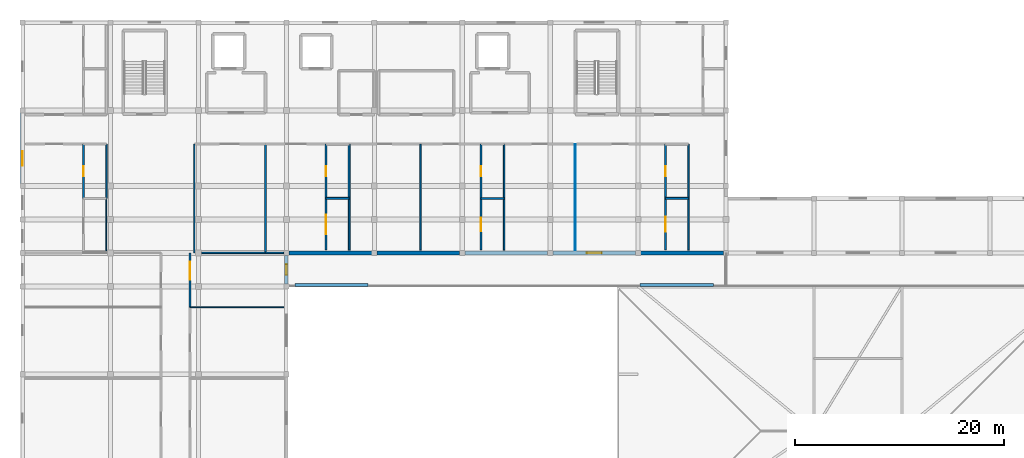
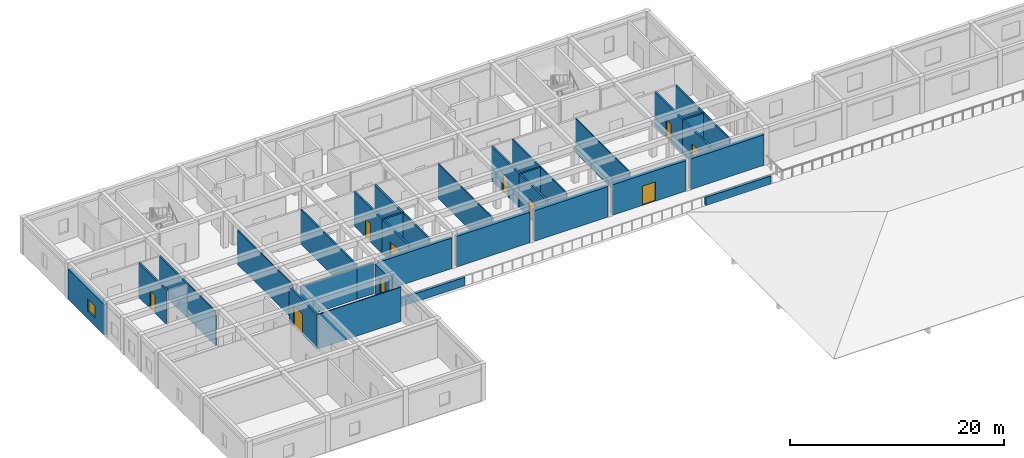
# One storey, part 9 of 28: 35 walls, 9 doors, 2 windows, 11 openings.
"""IFC4 building model written with IfcOpenShell, lengths in metres."""

from ifc_helpers import new_model, si_unit, direction, frame, frame_2d, origin, place, context, subcontext, project, spatial, rectangle, extrude, material, layer, layer_set, type_object, element, fill, save


model = new_model("IFC4")

# Units and contexts
model_context = context("Model", 3, precision=1e-05, world=origin(), true_north=direction((0.0, 1.0)))
body_context = subcontext(model_context, "Body", "Model", "MODEL_VIEW")
ifc_project = project(units=[si_unit("LENGTHUNIT", "METRE"), si_unit("AREAUNIT", "SQUARE_METRE"), si_unit("VOLUMEUNIT", "CUBIC_METRE"), si_unit("PLANEANGLEUNIT", "RADIAN"), si_unit("MASSUNIT", "GRAM", prefix="KILO")], contexts=[model_context])

# Site, building, storey
site_placement = place(None, origin())
site = spatial("IfcSite", under=ifc_project, at=site_placement, CompositionType="ELEMENT")
building_placement = place(site_placement, origin())
building = spatial("IfcBuilding", under=site, at=building_placement, Name="Varncliffe General Hospital", CompositionType="ELEMENT")
storey_placement = place(building_placement, frame((0.0, 0.0, 24.60009765625)))
storey = spatial("IfcBuildingStorey", under=building, at=storey_placement, Name="L05", CompositionType="ELEMENT", Elevation=24.60009765625)

# Walls
ifc_material_1 = material(Name="Precast concrete C40/50 with insulated cream lime-cement stucco", Category="concrete")
ifc_layer_1 = layer(ifc_material_1, 0.3798828125)
ifc_layer_set_1 = layer_set([ifc_layer_1], Name="Precast concrete C40/50 with insulated cream lime-cement stucco")
wall_type_1 = type_object("IfcWallType", Name="Exterior Insulated Stucco Wall EW26 (380mm)", PredefinedType="SOLIDWALL", material=ifc_layer_set_1)
wall_1_placement = place(storey_placement, frame((66.951904296875, 102.800048828125, 0.0), z_axis=(0.0, 0.0, 1.0), x_axis=(-1.0, 0.0, 0.0)))
element("IfcWall", 1, at=wall_1_placement, inside=storey, type_object=wall_type_1, Name="L05 Exterior Stucco Wall EW26-402", PredefinedType="SOLIDWALL", context=body_context, shape_type="SweptSolid", body=[
    extrude(rectangle(XDim=7.90380859375, YDim=0.3798828125, at=frame_2d((3.951904296875, 0.0))), origin(), (0.0, 0.0, 1.0), 3.47998046875),
])
wall_2_placement = place(storey_placement, frame((41.751953125, 102.800048828125, 0.0), z_axis=(0.0, 0.0, 1.0), x_axis=(-1.0, 0.0, 0.0)))
element("IfcWall", 2, at=wall_2_placement, inside=storey, type_object=wall_type_1, Name="L05 Exterior Stucco Wall EW26-405", PredefinedType="SOLIDWALL", context=body_context, shape_type="SweptSolid", body=[
    extrude(rectangle(XDim=7.904052734375, YDim=0.3798828125, at=frame_2d((3.9521484375, 0.0))), origin(), (0.0, 0.0, 1.0), 3.47998046875),
])

# Wall, opening, window
wall_3_placement = place(storey_placement, frame((0.0, 109.447998046875, 0.0), z_axis=(0.0, 0.0, 1.0), x_axis=(0.0, 1.0, 0.0)))
wall_3 = element("IfcWall", 3, at=wall_3_placement, inside=storey, type_object=wall_type_1, Name="L05 Exterior Stucco Wall EW26-418", PredefinedType="SOLIDWALL", context=body_context, shape_type="SweptSolid", body=[
    extrude(rectangle(XDim=6.7041015625, YDim=0.3798828125, at=frame_2d((3.35205078125, 0.0))), origin(), (0.0, 0.0, 1.0), 3.47998046875),
])
opening_1_placement = place(wall_3_placement, frame((1.68310546875, 0.0, 0.89990234375)))
opening_1 = element("IfcOpeningElement", 4, at=opening_1_placement, cuts=wall_3, Name="Opening WN76", PredefinedType="OPENING", context=body_context, shape_type="SweptSolid", body=[
    extrude(rectangle(XDim=1.39990234375, YDim=1.39990234375, at=frame_2d((0.699951171875, 0.699951171875))), frame((0.0, 0.199951171875, 0.0), z_axis=(0.0, -1.0, 0.0), x_axis=(1.0, 0.0, 0.0)), (0.0, 0.0, 1.0), 0.39990234375),
])
ifc_material_2 = material(Name="Triple low-E argon insulated vision glazing", Category="glass")
window_type_1 = type_object("IfcWindowType", Name="Triple-Glazed Hospital Window WN76 (1400x1400)", PartitioningType="SINGLE_PANEL", PredefinedType="WINDOW", material=ifc_material_2)
window_1_placement = place(opening_1_placement, origin())
window_1 = element("IfcWindow", 5, at=window_1_placement, inside=storey, type_object=window_type_1, Name="L05 Hospital Window WN76-314", OverallHeight=1.39990234375, OverallWidth=1.39990234375, PartitioningType="SINGLE_PANEL", PredefinedType="WINDOW", context=body_context, shape_type="SweptSolid", body=[
    extrude(rectangle(XDim=1.39990234375, YDim=1.39990234375, at=frame_2d((0.699951171875, 0.699951171875))), frame((0.0, 0.030029296875, 0.0), z_axis=(0.0, -1.0, 0.0), x_axis=(1.0, 0.0, 0.0)), (0.0, 0.0, 1.0), 0.06005859375),
])
fill(opening_1, window_1)

ifc_layer_2 = layer(ifc_material_1, 0.330078125)
ifc_layer_set_2 = layer_set([ifc_layer_2], Name="Precast concrete C40/50 with insulated cream lime-cement stucco")
wall_type_2 = type_object("IfcWallType", Name="Exterior Insulated Stucco Wall EW33 (330mm)", PredefinedType="SOLIDWALL", material=ifc_layer_set_2)
wall_4_placement = place(storey_placement, frame((25.199951171875, 102.552001953125, 0.0), z_axis=(0.0, 0.0, 1.0), x_axis=(0.0, -1.0, 0.0)))
wall_4 = element("IfcWall", 6, at=wall_4_placement, inside=storey, type_object=wall_type_2, Name="L05 Exterior Stucco Wall EW33-407", PredefinedType="SOLIDWALL", context=body_context, shape_type="SweptSolid", body=[
    extrude(rectangle(XDim=2.7041015625, YDim=0.330078125, at=frame_2d((1.35205078125, 0.0))), origin(), (0.0, 0.0, 1.0), 3.47998046875),
])
opening_2_placement = place(wall_4_placement, frame((0.85205078125, 0.0, 0.89990234375)))
opening_2 = element("IfcOpeningElement", 7, at=opening_2_placement, cuts=wall_4, Name="Opening WN21", PredefinedType="OPENING", context=body_context, shape_type="SweptSolid", body=[
    extrude(rectangle(XDim=1.0, YDim=1.550048828125, at=frame_2d((0.5, 0.77490234375))), frame((0.0, 0.175048828125, 0.0), z_axis=(0.0, -1.0, 0.0), x_axis=(1.0, 0.0, 0.0)), (0.0, 0.0, 1.0), 0.35009765625),
])
window_type_2 = type_object("IfcWindowType", Name="Triple-Glazed Hospital Window WN21 (1000x1550)", PartitioningType="SINGLE_PANEL", PredefinedType="WINDOW", material=ifc_material_2)
window_2_placement = place(opening_2_placement, origin())
window_2 = element("IfcWindow", 8, at=window_2_placement, inside=storey, type_object=window_type_2, Name="L05 Hospital Window WN21-303", OverallHeight=1.550048828125, OverallWidth=1.0, PartitioningType="SINGLE_PANEL", PredefinedType="WINDOW", context=body_context, shape_type="SweptSolid", body=[
    extrude(rectangle(XDim=1.0, YDim=1.550048828125, at=frame_2d((0.5, 0.77490234375))), frame((0.0, 0.030029296875, 0.0), z_axis=(0.0, -1.0, 0.0), x_axis=(1.0, 0.0, 0.0)), (0.0, 0.0, 1.0), 0.06005859375),
])
fill(opening_2, window_2)

# Wall, opening, door
ifc_layer_3 = layer(ifc_material_1, 0.35009765625)
ifc_layer_set_3 = layer_set([ifc_layer_3], Name="Precast concrete C40/50 with insulated cream lime-cement stucco")
wall_type_3 = type_object("IfcWallType", Name="Exterior Insulated Stucco Wall EW37 (350mm)", PredefinedType="SOLIDWALL", material=ifc_layer_set_3)
wall_5_placement = place(storey_placement, frame((58.552001953125, 102.800048828125, 0.0), z_axis=(0.0, 0.0, 1.0), x_axis=(-1.0, 0.0, 0.0)))
wall_5 = element("IfcWall", 9, at=wall_5_placement, inside=storey, type_object=wall_type_3, Name="L05 Exterior Stucco Wall EW37-403", PredefinedType="SOLIDWALL", context=body_context, shape_type="SweptSolid", body=[
    extrude(rectangle(XDim=7.904052734375, YDim=0.35009765625, at=frame_2d((3.9521484375, 0.0))), origin(), (0.0, 0.0, 1.0), 3.47998046875),
])
opening_3_placement = place(wall_5_placement, frame((3.251953125, 0.0, 0.0)))
opening_3 = element("IfcOpeningElement", 10, at=opening_3_placement, cuts=wall_5, Name="Opening DE56", PredefinedType="OPENING", context=body_context, shape_type="SweptSolid", body=[
    extrude(rectangle(XDim=1.39990234375, YDim=2.199951171875, at=frame_2d((0.699951171875, 1.10009765625))), frame((0.0, 0.18505859375, 0.0), z_axis=(0.0, -1.0, 0.0), x_axis=(1.0, 0.0, 0.0)), (0.0, 0.0, 1.0), 0.3701171875),
])
ifc_material_3 = material(Name="Thermally broken bronze-anodized aluminium and safety glass door", Category="aluminium")
door_type_1 = type_object("IfcDoorType", Name="Exterior Pedestrian Door DE56 (1400x2200)", OperationType="NOTDEFINED", PredefinedType="DOOR", material=ifc_material_3)
door_1_placement = place(opening_3_placement, origin())
door_1 = element("IfcDoor", 11, at=door_1_placement, inside=storey, type_object=door_type_1, Name="L05 Healing Terrace Access Door 40", OperationType="SINGLE_SWING_LEFT", OverallHeight=2.199951171875, OverallWidth=1.39990234375, PredefinedType="DOOR", context=body_context, shape_type="SweptSolid", body=[
    extrude(rectangle(XDim=1.39990234375, YDim=2.199951171875, at=frame_2d((0.699951171875, 1.10009765625))), frame((0.0, 0.02490234375, 0.0), z_axis=(0.0, -1.0, 0.0), x_axis=(1.0, 0.0, 0.0)), (0.0, 0.0, 1.0), 0.050048828125),
])
fill(opening_3, door_1)

# Walls
wall_6_placement = place(storey_placement, frame((33.35205078125, 102.800048828125, 0.0), z_axis=(0.0, 0.0, 1.0), x_axis=(-1.0, 0.0, 0.0)))
element("IfcWall", 12, at=wall_6_placement, inside=storey, type_object=wall_type_3, Name="L05 Exterior Stucco Wall EW37-406", PredefinedType="SOLIDWALL", context=body_context, shape_type="SweptSolid", body=[
    extrude(rectangle(XDim=7.904052734375, YDim=0.35009765625, at=frame_2d((3.9521484375, 0.0))), origin(), (0.0, 0.0, 1.0), 3.47998046875),
])
ifc_layer_4 = layer(ifc_material_1, 0.39990234375)
ifc_layer_set_4 = layer_set([ifc_layer_4], Name="Precast concrete C40/50 with insulated cream lime-cement stucco")
wall_type_4 = type_object("IfcWallType", Name="Exterior Insulated Stucco Wall EW47 (400mm)", PredefinedType="SOLIDWALL", material=ifc_layer_set_4)
wall_7_placement = place(storey_placement, frame((50.152099609375, 102.800048828125, 0.0), z_axis=(0.0, 0.0, 1.0), x_axis=(-1.0, 0.0, 0.0)))
element("IfcWall", 13, at=wall_7_placement, inside=storey, type_object=wall_type_4, Name="L05 Exterior Stucco Wall EW47-404", PredefinedType="SOLIDWALL", context=body_context, shape_type="SweptSolid", body=[
    extrude(rectangle(XDim=7.904052734375, YDim=0.39990234375, at=frame_2d((3.9521484375, 0.0))), origin(), (0.0, 0.0, 1.0), 3.47998046875),
])
ifc_material_4 = material(Name="Acoustic clinical gypsum stud partition assembly", Category="gypsum")
ifc_layer_5 = layer(ifc_material_4, 0.1298828125)
ifc_layer_set_5 = layer_set([ifc_layer_5], Name="Acoustic clinical gypsum stud partition assembly")
wall_type_5 = type_object("IfcWallType", Name="Interior Partitioning IW11 (130mm)", PredefinedType="PARTITIONING", material=ifc_layer_set_5)
wall_8_placement = place(storey_placement, frame((17.090087890625, 102.800048828125, 0.0), z_axis=(0.0, 0.0, 1.0), x_axis=(1.0, 0.0, 0.0)))
element("IfcWall", 14, at=wall_8_placement, inside=storey, type_object=wall_type_5, Name="L05 Interior Partition Wall IW11-2033", PredefinedType="PARTITIONING", context=body_context, shape_type="SweptSolid", body=[
    extrude(rectangle(XDim=6.10986328125, YDim=0.1298828125, at=frame_2d((3.054931640625, 0.0))), origin(), (0.0, 0.0, 1.0), 3.5849609375),
])
wall_9_placement = place(storey_placement, frame((38.0, 103.06005859375, 0.0), z_axis=(0.0, 0.0, 1.0), x_axis=(0.0, 1.0, 0.0)))
element("IfcWall", 15, at=wall_9_placement, inside=storey, type_object=wall_type_5, Name="L05 Interior Partition Wall IW11-2123", PredefinedType="PARTITIONING", context=body_context, shape_type="SweptSolid", body=[
    extrude(rectangle(XDim=10.139892578125, YDim=0.1298828125, at=frame_2d((5.06982421875, 0.0))), origin(), (0.0, 0.0, 1.0), 3.919921875),
])
wall_10_placement = place(storey_placement, frame((46.0, 103.06005859375, 0.0), z_axis=(0.0, 0.0, 1.0), x_axis=(0.0, 1.0, 0.0)))
element("IfcWall", 16, at=wall_10_placement, inside=storey, type_object=wall_type_5, Name="L05 Interior Partition Wall IW11-2128", PredefinedType="PARTITIONING", context=body_context, shape_type="SweptSolid", body=[
    extrude(rectangle(XDim=4.93994140625, YDim=0.1298828125, at=frame_2d((2.469970703125, 0.0))), origin(), (0.0, 0.0, 1.0), 3.919921875),
])
ifc_layer_6 = layer(ifc_material_4, 0.14990234375)
ifc_layer_set_6 = layer_set([ifc_layer_6], Name="Acoustic clinical gypsum stud partition assembly")
wall_type_6 = type_object("IfcWallType", Name="Interior Partitioning IW35 (150mm)", PredefinedType="PARTITIONING", material=ifc_layer_set_6)
wall_11_placement = place(storey_placement, frame((23.199951171875, 102.800048828125, 0.0), z_axis=(0.0, 0.0, 1.0), x_axis=(1.0, 0.0, 0.0)))
element("IfcWall", 17, at=wall_11_placement, inside=storey, type_object=wall_type_6, Name="L05 Interior Partition Wall IW35-2034", PredefinedType="PARTITIONING", context=body_context, shape_type="SweptSolid", body=[
    extrude(rectangle(XDim=1.735107421875, YDim=0.14990234375, at=frame_2d((0.86767578125, 0.0))), origin(), (0.0, 0.0, 1.0), 3.5849609375),
])
wall_12_placement = place(storey_placement, frame((23.199951171875, 102.800048828125, 0.0), z_axis=(0.0, 0.0, 1.0), x_axis=(0.0, 1.0, 0.0)))
element("IfcWall", 18, at=wall_12_placement, inside=storey, type_object=wall_type_6, Name="L05 Interior Partition Wall IW35-2114", PredefinedType="PARTITIONING", context=body_context, shape_type="SweptSolid", body=[
    extrude(rectangle(XDim=10.39990234375, YDim=0.14990234375, at=frame_2d((5.199951171875, 0.0))), origin(), (0.0, 0.0, 1.0), 3.919921875),
])
for number, where, z_axis, x_axis, name in (
    (19, (31.199951171875, 103.06005859375, 0.0), (0.0, 0.0, 1.0), (0.0, 1.0, 0.0), "L05 Interior Partition Wall IW35-2119"),
    (20, (63.60009765625, 103.06005859375, 0.0), (0.0, 0.0, 1.0), (0.0, 1.0, 0.0), "L05 Interior Partition Wall IW35-2134"),
):
    element("IfcWall", number, at=place(storey_placement, frame(where, z_axis=z_axis, x_axis=x_axis)), inside=storey, type_object=wall_type_6, Name=name, PredefinedType="PARTITIONING", context=body_context, shape_type="SweptSolid", body=[
        extrude(rectangle(XDim=4.93994140625, YDim=0.14990234375, at=frame_2d((2.469970703125, 0.0))), origin(), (0.0, 0.0, 1.0), 3.919921875),
    ])
ifc_layer_7 = layer(ifc_material_4, 0.090087890625)
ifc_layer_set_7 = layer_set([ifc_layer_7], Name="Acoustic clinical gypsum stud partition assembly")
wall_type_7 = type_object("IfcWallType", Name="Interior Partitioning IW42 (90mm)", PredefinedType="PARTITIONING", material=ifc_layer_set_7)
wall_13_placement = place(storey_placement, frame((52.800048828125, 103.06005859375, 0.0), z_axis=(0.0, 0.0, 1.0), x_axis=(0.0, 1.0, 0.0)))
element("IfcWall", 21, at=wall_13_placement, inside=storey, type_object=wall_type_7, Name="L05 Interior Partition Wall IW42-2131", PredefinedType="PARTITIONING", context=body_context, shape_type="SweptSolid", body=[
    extrude(rectangle(XDim=10.139892578125, YDim=0.090087890625, at=frame_2d((5.06982421875, 0.0))), origin(), (0.0, 0.0, 1.0), 3.919921875),
])
ifc_layer_8 = layer(ifc_material_4, 0.110107421875)
ifc_layer_set_8 = layer_set([ifc_layer_8], Name="Acoustic clinical gypsum stud partition assembly")
wall_type_8 = type_object("IfcWallType", Name="Interior Partitioning IW65 (110mm)", PredefinedType="PARTITIONING", material=ifc_layer_set_8)
wall_14_placement = place(storey_placement, frame((16.0, 97.60009765625, 0.0), z_axis=(0.0, 0.0, 1.0), x_axis=(1.0, 0.0, 0.0)))
element("IfcWall", 22, at=wall_14_placement, inside=storey, type_object=wall_type_8, Name="L05 Interior Partition Wall IW65-2027", PredefinedType="PARTITIONING", context=body_context, shape_type="SweptSolid", body=[
    extrude(rectangle(XDim=8.93994140625, YDim=0.110107421875, at=frame_2d((4.469970703125, 0.0))), origin(), (0.0, 0.0, 1.0), 3.919921875),
])
wall_15_placement = place(storey_placement, frame((8.0, 102.800048828125, 0.0), z_axis=(0.0, 0.0, 1.0), x_axis=(0.0, 1.0, 0.0)))
element("IfcWall", 23, at=wall_15_placement, inside=storey, type_object=wall_type_8, Name="L05 Interior Partition Wall IW65-2102", PredefinedType="PARTITIONING", context=body_context, shape_type="SweptSolid", body=[
    extrude(rectangle(XDim=5.199951171875, YDim=0.110107421875, at=frame_2d((2.60009765625, 0.0))), origin(), (0.0, 0.0, 1.0), 3.919921875),
])
wall_16_placement = place(storey_placement, frame((16.39990234375, 102.800048828125, 0.0), z_axis=(0.0, 0.0, 1.0), x_axis=(0.0, 1.0, 0.0)))
element("IfcWall", 24, at=wall_16_placement, inside=storey, type_object=wall_type_8, Name="L05 Interior Partition Wall IW65-2112", PredefinedType="PARTITIONING", context=body_context, shape_type="SweptSolid", body=[
    extrude(rectangle(XDim=10.39990234375, YDim=0.110107421875, at=frame_2d((5.199951171875, 0.0))), origin(), (0.0, 0.0, 1.0), 3.919921875),
])

# Wall, opening, door
ifc_material_5 = material(Name="Fire-rated gypsum and mineral-wool partition assembly", Category="gypsum")
ifc_layer_9 = layer(ifc_material_5, 0.199951171875)
ifc_layer_set_9 = layer_set([ifc_layer_9], Name="Fire-rated gypsum and mineral-wool partition assembly")
wall_type_9 = type_object("IfcWallType", Name="Interior Partitioning PW63 (200mm)", PredefinedType="PARTITIONING", material=ifc_layer_set_9)
wall_17_placement = place(storey_placement, frame((5.800048828125, 108.0, 0.0), z_axis=(0.0, 0.0, 1.0), x_axis=(0.0, 1.0, 0.0)))
wall_17 = element("IfcWall", 25, at=wall_17_placement, inside=storey, type_object=wall_type_9, Name="L05 Interior Partition Wall PW63-2099", PredefinedType="PARTITIONING", context=body_context, shape_type="SweptSolid", body=[
    extrude(rectangle(XDim=5.199951171875, YDim=0.199951171875, at=frame_2d((2.60009765625, 0.0))), origin(), (0.0, 0.0, 1.0), 3.919921875),
])
opening_4_placement = place(wall_17_placement, frame((2.139892578125, 0.0, 0.0)))
opening_4 = element("IfcOpeningElement", 26, at=opening_4_placement, cuts=wall_17, Name="Opening DI70", PredefinedType="OPENING", context=body_context, shape_type="SweptSolid", body=[
    extrude(rectangle(XDim=0.919921875, YDim=2.10009765625, at=frame_2d((0.4599609375, 1.050048828125))), frame((0.0, 0.10986328125, 0.0), z_axis=(0.0, -1.0, 0.0), x_axis=(1.0, 0.0, 0.0)), (0.0, 0.0, 1.0), 0.219970703125),
])
ifc_material_6 = material(Name="Solid-core antimicrobial hospital oak veneer door", Category="wood")
door_type_2 = type_object("IfcDoorType", Name="Interior Hospital Door DI70 (920x2100)", OperationType="NOTDEFINED", PredefinedType="DOOR", material=ifc_material_6)
door_2_placement = place(opening_4_placement, frame((0.919921875, 0.0, 0.0), z_axis=(0.0, 0.0, 1.0), x_axis=(-1.0, 0.0, 0.0)))
door_2 = element("IfcDoor", 27, at=door_2_placement, inside=storey, type_object=door_type_2, Name="L05 En-Suite Bathroom 46 Door", OperationType="SINGLE_SWING_RIGHT", OverallHeight=2.10009765625, OverallWidth=0.919921875, PredefinedType="DOOR", context=body_context, shape_type="SweptSolid", body=[
    extrude(rectangle(XDim=0.919921875, YDim=2.10009765625, at=frame_2d((0.4599609375, 1.050048828125))), frame((0.0, 0.02490234375, 0.0), z_axis=(0.0, -1.0, 0.0), x_axis=(1.0, 0.0, 0.0)), (0.0, 0.0, 1.0), 0.050048828125),
])
fill(opening_4, door_2)

wall_18_placement = place(storey_placement, frame((16.0, 97.60009765625, 0.0), z_axis=(0.0, 0.0, 1.0), x_axis=(0.0, 1.0, 0.0)))
wall_18 = element("IfcWall", 28, at=wall_18_placement, inside=storey, type_object=wall_type_9, Name="L05 Interior Partition Wall PW63-2111", PredefinedType="PARTITIONING", context=body_context, shape_type="SweptSolid", body=[
    extrude(rectangle(XDim=5.199951171875, YDim=0.199951171875, at=frame_2d((2.60009765625, 0.0))), origin(), (0.0, 0.0, 1.0), 3.919921875),
])
opening_5_placement = place(wall_18_placement, frame((2.656005859375, 0.0, 0.0)))
opening_5 = element("IfcOpeningElement", 29, at=opening_5_placement, cuts=wall_18, Name="Opening DC50", PredefinedType="OPENING", context=body_context, shape_type="SweptSolid", body=[
    extrude(rectangle(XDim=1.699951171875, YDim=2.300048828125, at=frame_2d((0.85009765625, 1.14990234375))), frame((0.0, 0.10986328125, 0.0), z_axis=(0.0, -1.0, 0.0), x_axis=(1.0, 0.0, 0.0)), (0.0, 0.0, 1.0), 0.219970703125),
])
ifc_material_7 = material(Name="Fire-rated hospital steel-frame vision-panel door", Category="steel")
door_type_3 = type_object("IfcDoorType", Name="Interior Hospital Door DC50 (1700x2300)", OperationType="NOTDEFINED", PredefinedType="DOOR", material=ifc_material_7)
door_3_placement = place(opening_5_placement, frame((1.699951171875, 0.0, 0.0), z_axis=(0.0, 0.0, 1.0), x_axis=(-1.0, 0.0, 0.0)))
door_3 = element("IfcDoor", 30, at=door_3_placement, inside=storey, type_object=door_type_3, Name="L05 Maternity Birthing and Postpartum Suite 90 Door", OperationType="SINGLE_SWING_RIGHT", OverallHeight=2.300048828125, OverallWidth=1.699951171875, PredefinedType="DOOR", context=body_context, shape_type="SweptSolid", body=[
    extrude(rectangle(XDim=1.699951171875, YDim=2.300048828125, at=frame_2d((0.85009765625, 1.14990234375))), frame((0.0, 0.02490234375, 0.0), z_axis=(0.0, -1.0, 0.0), x_axis=(1.0, 0.0, 0.0)), (0.0, 0.0, 1.0), 0.050048828125),
])
fill(opening_5, door_3)

wall_19_placement = place(storey_placement, frame((29.0, 103.06005859375, 0.0), z_axis=(0.0, 0.0, 1.0), x_axis=(0.0, 1.0, 0.0)))
wall_19 = element("IfcWall", 31, at=wall_19_placement, inside=storey, type_object=wall_type_9, Name="L05 Interior Partition Wall PW63-2116", PredefinedType="PARTITIONING", context=body_context, shape_type="SweptSolid", body=[
    extrude(rectangle(XDim=4.93994140625, YDim=0.199951171875, at=frame_2d((2.469970703125, 0.0))), origin(), (0.0, 0.0, 1.0), 3.919921875),
])
opening_6_placement = place(wall_19_placement, frame((1.544921875, 0.0, 0.0)))
opening_6 = element("IfcOpeningElement", 32, at=opening_6_placement, cuts=wall_19, Name="Opening DC38", PredefinedType="OPENING", context=body_context, shape_type="SweptSolid", body=[
    extrude(rectangle(XDim=1.85009765625, YDim=2.300048828125, at=frame_2d((0.925048828125, 1.14990234375))), frame((0.0, 0.10986328125, 0.0), z_axis=(0.0, -1.0, 0.0), x_axis=(1.0, 0.0, 0.0)), (0.0, 0.0, 1.0), 0.219970703125),
])
door_type_4 = type_object("IfcDoorType", Name="Interior Hospital Door DC38 (1850x2300)", OperationType="NOTDEFINED", PredefinedType="DOOR", material=ifc_material_7)
door_4_placement = place(opening_6_placement, frame((1.85009765625, 0.0, 0.0), z_axis=(0.0, 0.0, 1.0), x_axis=(-1.0, 0.0, 0.0)))
door_4 = element("IfcDoor", 33, at=door_4_placement, inside=storey, type_object=door_type_4, Name="L05 Patient Medication and Hygiene Bay 51 Door", OperationType="SINGLE_SWING_LEFT", OverallHeight=2.300048828125, OverallWidth=1.85009765625, PredefinedType="DOOR", context=body_context, shape_type="SweptSolid", body=[
    extrude(rectangle(XDim=1.85009765625, YDim=2.300048828125, at=frame_2d((0.925048828125, 1.14990234375))), frame((0.0, 0.02490234375, 0.0), z_axis=(0.0, -1.0, 0.0), x_axis=(1.0, 0.0, 0.0)), (0.0, 0.0, 1.0), 0.050048828125),
])
fill(opening_6, door_4)

wall_20_placement = place(storey_placement, frame((29.0, 108.0, 0.0), z_axis=(0.0, 0.0, 1.0), x_axis=(0.0, 1.0, 0.0)))
wall_20 = element("IfcWall", 34, at=wall_20_placement, inside=storey, type_object=wall_type_9, Name="L05 Interior Partition Wall PW63-2117", PredefinedType="PARTITIONING", context=body_context, shape_type="SweptSolid", body=[
    extrude(rectangle(XDim=5.199951171875, YDim=0.199951171875, at=frame_2d((2.60009765625, 0.0))), origin(), (0.0, 0.0, 1.0), 3.919921875),
])
opening_7_placement = place(wall_20_placement, frame((2.139892578125, 0.0, 0.0)))
opening_7 = element("IfcOpeningElement", 35, at=opening_7_placement, cuts=wall_20, Name="Opening DI70", PredefinedType="OPENING", context=body_context, shape_type="SweptSolid", body=[
    extrude(rectangle(XDim=0.919921875, YDim=2.10009765625, at=frame_2d((0.4599609375, 1.050048828125))), frame((0.0, 0.10986328125, 0.0), z_axis=(0.0, -1.0, 0.0), x_axis=(1.0, 0.0, 0.0)), (0.0, 0.0, 1.0), 0.219970703125),
])
door_5_placement = place(opening_7_placement, frame((0.919921875, 0.0, 0.0), z_axis=(0.0, 0.0, 1.0), x_axis=(-1.0, 0.0, 0.0)))
door_5 = element("IfcDoor", 36, at=door_5_placement, inside=storey, type_object=door_type_2, Name="L05 En-Suite Bathroom 50 Door", OperationType="SINGLE_SWING_RIGHT", OverallHeight=2.10009765625, OverallWidth=0.919921875, PredefinedType="DOOR", context=body_context, shape_type="SweptSolid", body=[
    extrude(rectangle(XDim=0.919921875, YDim=2.10009765625, at=frame_2d((0.4599609375, 1.050048828125))), frame((0.0, 0.02490234375, 0.0), z_axis=(0.0, -1.0, 0.0), x_axis=(1.0, 0.0, 0.0)), (0.0, 0.0, 1.0), 0.050048828125),
])
fill(opening_7, door_5)

wall_21_placement = place(storey_placement, frame((43.800048828125, 103.06005859375, 0.0), z_axis=(0.0, 0.0, 1.0), x_axis=(0.0, 1.0, 0.0)))
wall_21 = element("IfcWall", 37, at=wall_21_placement, inside=storey, type_object=wall_type_9, Name="L05 Interior Partition Wall PW63-2126", PredefinedType="PARTITIONING", context=body_context, shape_type="SweptSolid", body=[
    extrude(rectangle(XDim=4.93994140625, YDim=0.199951171875, at=frame_2d((2.469970703125, 0.0))), origin(), (0.0, 0.0, 1.0), 3.919921875),
])
opening_8_placement = place(wall_21_placement, frame((1.820068359375, 0.0, 0.0)))
opening_8 = element("IfcOpeningElement", 38, at=opening_8_placement, cuts=wall_21, Name="Opening DC88", PredefinedType="OPENING", context=body_context, shape_type="SweptSolid", body=[
    extrude(rectangle(XDim=1.300048828125, YDim=2.199951171875, at=frame_2d((0.64990234375, 1.10009765625))), frame((0.0, 0.10986328125, 0.0), z_axis=(0.0, -1.0, 0.0), x_axis=(1.0, 0.0, 0.0)), (0.0, 0.0, 1.0), 0.219970703125),
])
door_type_5 = type_object("IfcDoorType", Name="Interior Hospital Door DC88 (1300x2200)", OperationType="NOTDEFINED", PredefinedType="DOOR", material=ifc_material_7)
door_6_placement = place(opening_8_placement, frame((1.300048828125, 0.0, 0.0), z_axis=(0.0, 0.0, 1.0), x_axis=(-1.0, 0.0, 0.0)))
door_6 = element("IfcDoor", 39, at=door_6_placement, inside=storey, type_object=door_type_5, Name="L05 Patient Medication and Hygiene Bay 55 Door", OperationType="SINGLE_SWING_LEFT", OverallHeight=2.199951171875, OverallWidth=1.300048828125, PredefinedType="DOOR", context=body_context, shape_type="SweptSolid", body=[
    extrude(rectangle(XDim=1.300048828125, YDim=2.199951171875, at=frame_2d((0.64990234375, 1.10009765625))), frame((0.0, 0.02490234375, 0.0), z_axis=(0.0, -1.0, 0.0), x_axis=(1.0, 0.0, 0.0)), (0.0, 0.0, 1.0), 0.050048828125),
])
fill(opening_8, door_6)

wall_22_placement = place(storey_placement, frame((43.800048828125, 108.0, 0.0), z_axis=(0.0, 0.0, 1.0), x_axis=(0.0, 1.0, 0.0)))
wall_22 = element("IfcWall", 40, at=wall_22_placement, inside=storey, type_object=wall_type_9, Name="L05 Interior Partition Wall PW63-2127", PredefinedType="PARTITIONING", context=body_context, shape_type="SweptSolid", body=[
    extrude(rectangle(XDim=5.199951171875, YDim=0.199951171875, at=frame_2d((2.60009765625, 0.0))), origin(), (0.0, 0.0, 1.0), 3.919921875),
])
opening_9_placement = place(wall_22_placement, frame((2.139892578125, 0.0, 0.0)))
opening_9 = element("IfcOpeningElement", 41, at=opening_9_placement, cuts=wall_22, Name="Opening DI70", PredefinedType="OPENING", context=body_context, shape_type="SweptSolid", body=[
    extrude(rectangle(XDim=0.919921875, YDim=2.10009765625, at=frame_2d((0.4599609375, 1.050048828125))), frame((0.0, 0.10986328125, 0.0), z_axis=(0.0, -1.0, 0.0), x_axis=(1.0, 0.0, 0.0)), (0.0, 0.0, 1.0), 0.219970703125),
])
door_7_placement = place(opening_9_placement, frame((0.919921875, 0.0, 0.0), z_axis=(0.0, 0.0, 1.0), x_axis=(-1.0, 0.0, 0.0)))
door_7 = element("IfcDoor", 42, at=door_7_placement, inside=storey, type_object=door_type_2, Name="L05 En-Suite Bathroom 54 Door", OperationType="SINGLE_SWING_RIGHT", OverallHeight=2.10009765625, OverallWidth=0.919921875, PredefinedType="DOOR", context=body_context, shape_type="SweptSolid", body=[
    extrude(rectangle(XDim=0.919921875, YDim=2.10009765625, at=frame_2d((0.4599609375, 1.050048828125))), frame((0.0, 0.02490234375, 0.0), z_axis=(0.0, -1.0, 0.0), x_axis=(1.0, 0.0, 0.0)), (0.0, 0.0, 1.0), 0.050048828125),
])
fill(opening_9, door_7)

wall_23_placement = place(storey_placement, frame((61.39990234375, 103.06005859375, 0.0), z_axis=(0.0, 0.0, 1.0), x_axis=(0.0, 1.0, 0.0)))
wall_23 = element("IfcWall", 43, at=wall_23_placement, inside=storey, type_object=wall_type_9, Name="L05 Interior Partition Wall PW63-2132", PredefinedType="PARTITIONING", context=body_context, shape_type="SweptSolid", body=[
    extrude(rectangle(XDim=4.93994140625, YDim=0.199951171875, at=frame_2d((2.469970703125, 0.0))), origin(), (0.0, 0.0, 1.0), 3.919921875),
])
opening_10_placement = place(wall_23_placement, frame((1.7451171875, 0.0, 0.0)))
opening_10 = element("IfcOpeningElement", 44, at=opening_10_placement, cuts=wall_23, Name="Opening DC66", PredefinedType="OPENING", context=body_context, shape_type="SweptSolid", body=[
    extrude(rectangle(XDim=1.449951171875, YDim=2.25, at=frame_2d((0.72509765625, 1.125))), frame((0.0, 0.10986328125, 0.0), z_axis=(0.0, -1.0, 0.0), x_axis=(1.0, 0.0, 0.0)), (0.0, 0.0, 1.0), 0.219970703125),
])
door_type_6 = type_object("IfcDoorType", Name="Interior Hospital Door DC66 (1450x2250)", OperationType="NOTDEFINED", PredefinedType="DOOR", material=ifc_material_7)
door_8_placement = place(opening_10_placement, frame((1.449951171875, 0.0, 0.0), z_axis=(0.0, 0.0, 1.0), x_axis=(-1.0, 0.0, 0.0)))
door_8 = element("IfcDoor", 45, at=door_8_placement, inside=storey, type_object=door_type_6, Name="L05 Patient Medication and Hygiene Bay 59 Door", OperationType="SINGLE_SWING_LEFT", OverallHeight=2.25, OverallWidth=1.449951171875, PredefinedType="DOOR", context=body_context, shape_type="SweptSolid", body=[
    extrude(rectangle(XDim=1.449951171875, YDim=2.25, at=frame_2d((0.72509765625, 1.125))), frame((0.0, 0.02490234375, 0.0), z_axis=(0.0, -1.0, 0.0), x_axis=(1.0, 0.0, 0.0)), (0.0, 0.0, 1.0), 0.050048828125),
])
fill(opening_10, door_8)

wall_24_placement = place(storey_placement, frame((61.39990234375, 108.0, 0.0), z_axis=(0.0, 0.0, 1.0), x_axis=(0.0, 1.0, 0.0)))
wall_24 = element("IfcWall", 46, at=wall_24_placement, inside=storey, type_object=wall_type_9, Name="L05 Interior Partition Wall PW63-2133", PredefinedType="PARTITIONING", context=body_context, shape_type="SweptSolid", body=[
    extrude(rectangle(XDim=5.199951171875, YDim=0.199951171875, at=frame_2d((2.60009765625, 0.0))), origin(), (0.0, 0.0, 1.0), 3.919921875),
])
opening_11_placement = place(wall_24_placement, frame((2.139892578125, 0.0, 0.0)))
opening_11 = element("IfcOpeningElement", 47, at=opening_11_placement, cuts=wall_24, Name="Opening DI70", PredefinedType="OPENING", context=body_context, shape_type="SweptSolid", body=[
    extrude(rectangle(XDim=0.919921875, YDim=2.10009765625, at=frame_2d((0.4599609375, 1.050048828125))), frame((0.0, 0.10986328125, 0.0), z_axis=(0.0, -1.0, 0.0), x_axis=(1.0, 0.0, 0.0)), (0.0, 0.0, 1.0), 0.219970703125),
])
door_9_placement = place(opening_11_placement, frame((0.919921875, 0.0, 0.0), z_axis=(0.0, 0.0, 1.0), x_axis=(-1.0, 0.0, 0.0)))
door_9 = element("IfcDoor", 48, at=door_9_placement, inside=storey, type_object=door_type_2, Name="L05 En-Suite Bathroom 58 Door", OperationType="SINGLE_SWING_RIGHT", OverallHeight=2.10009765625, OverallWidth=0.919921875, PredefinedType="DOOR", context=body_context, shape_type="SweptSolid", body=[
    extrude(rectangle(XDim=0.919921875, YDim=2.10009765625, at=frame_2d((0.4599609375, 1.050048828125))), frame((0.0, 0.02490234375, 0.0), z_axis=(0.0, -1.0, 0.0), x_axis=(1.0, 0.0, 0.0)), (0.0, 0.0, 1.0), 0.050048828125),
])
fill(opening_11, door_9)

# Walls
ifc_material_8 = material(Name="Moisture-resistant plumbing chase wall assembly", Category="gypsum")
ifc_layer_10 = layer(ifc_material_8, 0.18994140625)
ifc_layer_set_10 = layer_set([ifc_layer_10], Name="Moisture-resistant plumbing chase wall assembly")
wall_type_10 = type_object("IfcWallType", Name="Interior Plumbingwall MW17 (190mm)", PredefinedType="PLUMBINGWALL", material=ifc_layer_set_10)
wall_25_placement = place(storey_placement, frame((29.0, 108.0, 0.0), z_axis=(0.0, 0.0, 1.0), x_axis=(1.0, 0.0, 0.0)))
element("IfcWall", 49, at=wall_25_placement, inside=storey, type_object=wall_type_10, Name="L05 Interior Plumbing Wall MW17-2042", PredefinedType="PLUMBINGWALL", context=body_context, shape_type="SweptSolid", body=[
    extrude(rectangle(XDim=2.199951171875, YDim=0.18994140625, at=frame_2d((1.10009765625, 0.0))), origin(), (0.0, 0.0, 1.0), 3.919921875),
])
wall_26_placement = place(storey_placement, frame((61.39990234375, 108.0, 0.0), z_axis=(0.0, 0.0, 1.0), x_axis=(1.0, 0.0, 0.0)))
element("IfcWall", 50, at=wall_26_placement, inside=storey, type_object=wall_type_10, Name="L05 Interior Plumbing Wall MW17-2044", PredefinedType="PLUMBINGWALL", context=body_context, shape_type="SweptSolid", body=[
    extrude(rectangle(XDim=2.2001953125, YDim=0.18994140625, at=frame_2d((1.10009765625, 0.0))), origin(), (0.0, 0.0, 1.0), 3.919921875),
])
wall_27_placement = place(storey_placement, frame((31.199951171875, 108.0, 0.0), z_axis=(0.0, 0.0, 1.0), x_axis=(0.0, 1.0, 0.0)))
element("IfcWall", 51, at=wall_27_placement, inside=storey, type_object=wall_type_10, Name="L05 Interior Plumbing Wall MW17-2120", PredefinedType="PLUMBINGWALL", context=body_context, shape_type="SweptSolid", body=[
    extrude(rectangle(XDim=5.199951171875, YDim=0.18994140625, at=frame_2d((2.60009765625, 0.0))), origin(), (0.0, 0.0, 1.0), 3.919921875),
])
ifc_layer_11 = layer(ifc_material_8, 0.159912109375)
ifc_layer_set_11 = layer_set([ifc_layer_11], Name="Moisture-resistant plumbing chase wall assembly")
wall_type_11 = type_object("IfcWallType", Name="Interior Plumbingwall MW31 (160mm)", PredefinedType="PLUMBINGWALL", material=ifc_layer_set_11)
wall_28_placement = place(storey_placement, frame((43.800048828125, 108.0, 0.0), z_axis=(0.0, 0.0, 1.0), x_axis=(1.0, 0.0, 0.0)))
element("IfcWall", 52, at=wall_28_placement, inside=storey, type_object=wall_type_11, Name="L05 Interior Plumbing Wall MW31-2043", PredefinedType="PLUMBINGWALL", context=body_context, shape_type="SweptSolid", body=[
    extrude(rectangle(XDim=2.199951171875, YDim=0.159912109375, at=frame_2d((1.10009765625, 0.0))), origin(), (0.0, 0.0, 1.0), 3.919921875),
])
for number, where, z_axis, x_axis, name in (
    (53, (8.0, 108.0, 0.0), (0.0, 0.0, 1.0), (0.0, 1.0, 0.0), "L05 Interior Plumbing Wall MW31-2103"),
    (54, (46.0, 108.0, 0.0), (0.0, 0.0, 1.0), (0.0, 1.0, 0.0), "L05 Interior Plumbing Wall MW31-2129"),
    (55, (63.60009765625, 108.0, 0.0), (0.0, 0.0, 1.0), (0.0, 1.0, 0.0), "L05 Interior Plumbing Wall MW31-2135"),
):
    element("IfcWall", number, at=place(storey_placement, frame(where, z_axis=z_axis, x_axis=x_axis)), inside=storey, type_object=wall_type_11, Name=name, PredefinedType="PLUMBINGWALL", context=body_context, shape_type="SweptSolid", body=[
        extrude(rectangle(XDim=5.199951171875, YDim=0.159912109375, at=frame_2d((2.60009765625, 0.0))), origin(), (0.0, 0.0, 1.0), 3.919921875),
    ])
ifc_material_9 = material(Name="Precast concrete C40/50 parapet coping", Category="concrete")
ifc_layer_12 = layer(ifc_material_9, 0.27001953125)
ifc_layer_set_12 = layer_set([ifc_layer_12], Name="Precast concrete C40/50 parapet coping")
wall_type_12 = type_object("IfcWallType", Name="Terrace and Roof Parapet Wall PP48 (270mm)", PredefinedType="PARAPET", material=ifc_layer_set_12)
for number, where, z_axis, x_axis, name in (
    (56, (26.0, 99.75, 0.0), (0.0, 0.0, 1.0), (1.0, 0.0, 0.0), "L05 Masonry Parapet Coping Wall 1"),
    (57, (59.0, 99.75, 0.0), (0.0, 0.0, 1.0), (1.0, 0.0, 0.0), "L05 Masonry Parapet Coping Wall 2"),
):
    element("IfcWall", number, at=place(storey_placement, frame(where, z_axis=z_axis, x_axis=x_axis)), inside=storey, type_object=wall_type_12, Name=name, PredefinedType="PARAPET", context=body_context, shape_type="SweptSolid", body=[
        extrude(rectangle(XDim=7.0, YDim=0.27001953125, at=frame_2d((3.5, 0.0))), origin(), (0.0, 0.0, 1.0), 0.949951171875),
    ])

save(model, "model.ifc")
